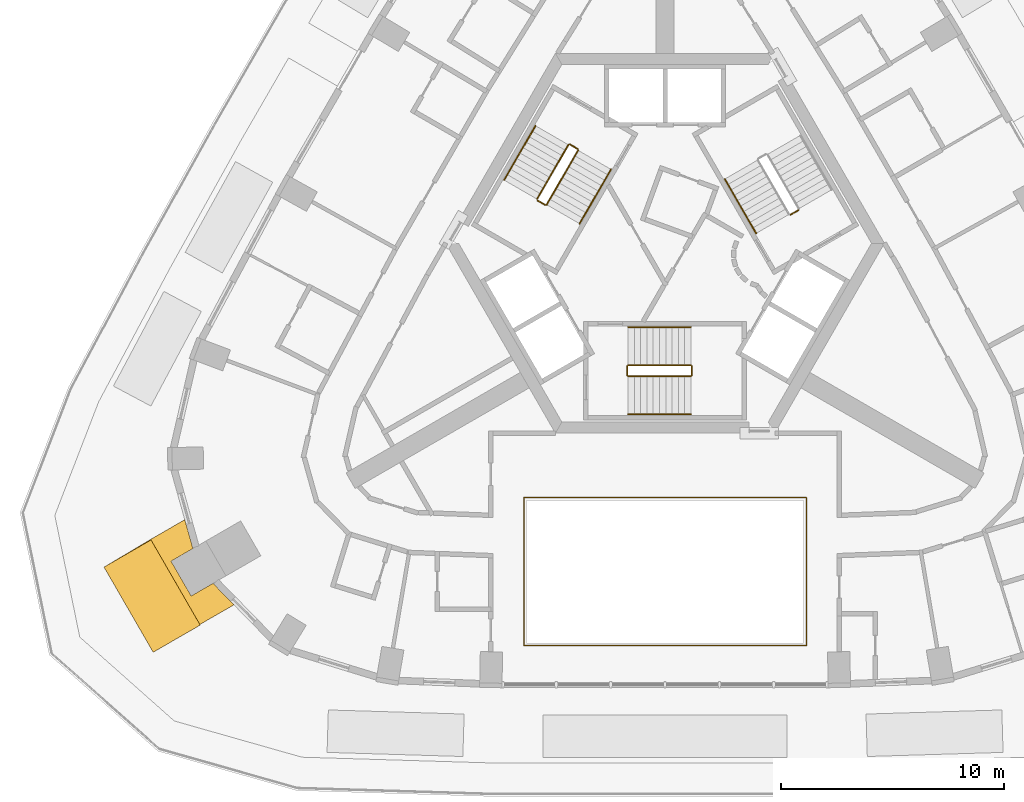
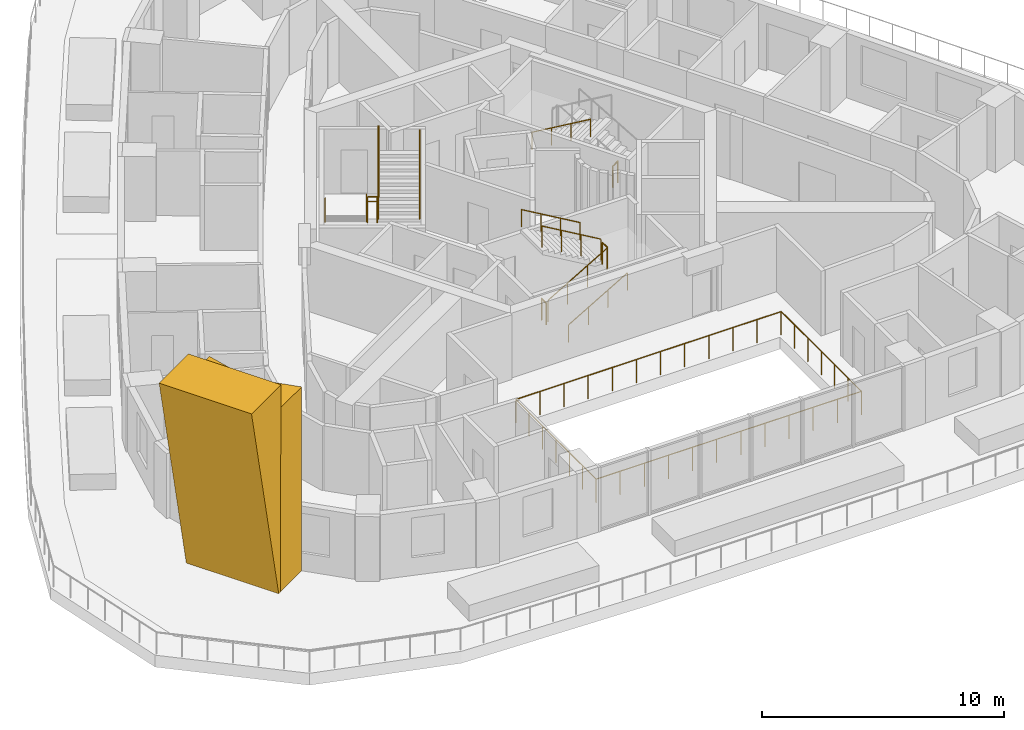
# One storey, part 10 of 12: 15 railings, 2 coverings.
"""IFC4 building model written with IfcOpenShell, lengths in metres."""

from ifc_helpers import new_model, si_unit, direction, frame, origin, origin_2d, place, context, subcontext, project, spatial, polyline, circle, outline, extrude, material, type_object, element, save


model = new_model("IFC4")

# Units and contexts
model_context = context("Model", 3, precision=1e-05, world=origin(), true_north=direction((0.0, 1.0)))
body_context = subcontext(model_context, "Body", "Model", "MODEL_VIEW")
ifc_project = project(units=[si_unit("LENGTHUNIT", "METRE"), si_unit("AREAUNIT", "SQUARE_METRE"), si_unit("VOLUMEUNIT", "CUBIC_METRE"), si_unit("PLANEANGLEUNIT", "RADIAN"), si_unit("MASSUNIT", "GRAM", prefix="KILO")], contexts=[model_context])

# Site, building, storey
site_placement = place(None, origin())
site = spatial("IfcSite", under=ifc_project, at=site_placement, CompositionType="ELEMENT")
building_placement = place(site_placement, origin())
building = spatial("IfcBuilding", under=site, at=building_placement, Name="Entoto Arch Interchange Tower", CompositionType="ELEMENT")
storey_placement = place(building_placement, frame((0.0, 0.0, 286.39990234375)))
storey = spatial("IfcBuildingStorey", under=building, at=storey_placement, Name="L66", CompositionType="ELEMENT", Elevation=286.39990234375)

# Railing
ifc_material_1 = material(Name="Stainless steel 1.4301", Category="steel")
railing_type_1 = type_object("IfcRailingType", Name="ATRIUM GUARD 1200 STEEL AND GLASS", PredefinedType="GUARDRAIL", material=ifc_material_1)
railing_1_placement = place(storey_placement, frame((6.320068359375, -15.5009765625, 0.0)))
element("IfcRailing", 1, at=railing_1_placement, inside=storey, type_object=railing_type_1, Name="Atrium guard L66", PredefinedType="GUARDRAIL", context=body_context, shape_type="SweptSolid", body=[
    extrude(circle(Radius=0.02392578125, at=origin_2d()), frame((0.0, 0.0, 1.17578125), z_axis=(-1.0, 0.0, 0.0), x_axis=(0.0, -1.0, 0.0)), (0.0, 0.0, 1.0), 12.64013671875),
    extrude(circle(Radius=0.02392578125, at=origin_2d()), frame((-12.64013671875, 0.0, 1.17578125), z_axis=(0.0, 1.0, 0.0), x_axis=(-1.0, 0.0, 0.0)), (0.0, 0.0, 1.0), 6.62109375),
    extrude(circle(Radius=0.02392578125, at=origin_2d()), frame((-12.64013671875, 6.62109375, 1.17578125), z_axis=(1.0, 0.0, 0.0), x_axis=(0.0, 1.0, 0.0)), (0.0, 0.0, 1.0), 12.64013671875),
    extrude(circle(Radius=0.02392578125, at=origin_2d()), frame((0.0, 6.62109375, 1.17578125), z_axis=(0.0, -1.0, 0.0), x_axis=(1.0, 0.0, 0.0)), (0.0, 0.0, 1.0), 6.62109375),
    extrude(circle(Radius=0.02099609375, at=origin_2d()), origin(), (0.0, 0.0, 1.0), 1.15185546875),
    extrude(circle(Radius=0.02099609375, at=origin_2d()), frame((-1.149169921875, 0.0, 0.0)), (0.0, 0.0, 1.0), 1.15185546875),
    extrude(circle(Radius=0.02099609375, at=origin_2d()), frame((-2.298095703125, 0.0, 0.0)), (0.0, 0.0, 1.0), 1.15185546875),
    extrude(circle(Radius=0.02099609375, at=origin_2d()), frame((-3.447265625, 0.0, 0.0)), (0.0, 0.0, 1.0), 1.15185546875),
    extrude(circle(Radius=0.02099609375, at=origin_2d()), frame((-4.596435546875, 0.0, 0.0)), (0.0, 0.0, 1.0), 1.15185546875),
    extrude(circle(Radius=0.02099609375, at=origin_2d()), frame((-5.74560546875, 0.0, 0.0)), (0.0, 0.0, 1.0), 1.15185546875),
    extrude(circle(Radius=0.02099609375, at=origin_2d()), frame((-6.89453125, 0.0, 0.0)), (0.0, 0.0, 1.0), 1.15185546875),
    extrude(circle(Radius=0.02099609375, at=origin_2d()), frame((-8.043701171875, 0.0, 0.0)), (0.0, 0.0, 1.0), 1.15185546875),
    extrude(circle(Radius=0.02099609375, at=origin_2d()), frame((-9.19287109375, 0.0, 0.0)), (0.0, 0.0, 1.0), 1.15185546875),
    extrude(circle(Radius=0.02099609375, at=origin_2d()), frame((-10.342041015625, 0.0, 0.0)), (0.0, 0.0, 1.0), 1.15185546875),
    extrude(circle(Radius=0.02099609375, at=origin_2d()), frame((-11.490966796875, 0.0, 0.0)), (0.0, 0.0, 1.0), 1.15185546875),
    extrude(circle(Radius=0.02099609375, at=origin_2d()), frame((-12.64013671875, 0.0, 0.0)), (0.0, 0.0, 1.0), 1.15185546875),
    extrude(circle(Radius=0.02099609375, at=origin_2d()), frame((-12.64013671875, 1.103515625, 0.0)), (0.0, 0.0, 1.0), 1.15185546875),
    extrude(circle(Radius=0.02099609375, at=origin_2d()), frame((-12.64013671875, 2.20703125, 0.0)), (0.0, 0.0, 1.0), 1.15185546875),
    extrude(circle(Radius=0.02099609375, at=origin_2d()), frame((-12.64013671875, 3.310546875, 0.0)), (0.0, 0.0, 1.0), 1.15185546875),
    extrude(circle(Radius=0.02099609375, at=origin_2d()), frame((-12.64013671875, 4.4140625, 0.0)), (0.0, 0.0, 1.0), 1.15185546875),
    extrude(circle(Radius=0.02099609375, at=origin_2d()), frame((-12.64013671875, 5.517578125, 0.0)), (0.0, 0.0, 1.0), 1.15185546875),
    extrude(circle(Radius=0.02099609375, at=origin_2d()), frame((-12.64013671875, 6.62109375, 0.0)), (0.0, 0.0, 1.0), 1.15185546875),
    extrude(circle(Radius=0.02099609375, at=origin_2d()), frame((-11.490966796875, 6.62109375, 0.0)), (0.0, 0.0, 1.0), 1.15185546875),
    extrude(circle(Radius=0.02099609375, at=origin_2d()), frame((-10.342041015625, 6.62109375, 0.0)), (0.0, 0.0, 1.0), 1.15185546875),
    extrude(circle(Radius=0.02099609375, at=origin_2d()), frame((-9.19287109375, 6.62109375, 0.0)), (0.0, 0.0, 1.0), 1.15185546875),
    extrude(circle(Radius=0.02099609375, at=origin_2d()), frame((-8.043701171875, 6.62109375, 0.0)), (0.0, 0.0, 1.0), 1.15185546875),
    extrude(circle(Radius=0.02099609375, at=origin_2d()), frame((-6.89453125, 6.62109375, 0.0)), (0.0, 0.0, 1.0), 1.15185546875),
    extrude(circle(Radius=0.02099609375, at=origin_2d()), frame((-5.74560546875, 6.62109375, 0.0)), (0.0, 0.0, 1.0), 1.15185546875),
    extrude(circle(Radius=0.02099609375, at=origin_2d()), frame((-4.596435546875, 6.62109375, 0.0)), (0.0, 0.0, 1.0), 1.15185546875),
    extrude(circle(Radius=0.02099609375, at=origin_2d()), frame((-3.447265625, 6.62109375, 0.0)), (0.0, 0.0, 1.0), 1.15185546875),
    extrude(circle(Radius=0.02099609375, at=origin_2d()), frame((-2.298095703125, 6.62109375, 0.0)), (0.0, 0.0, 1.0), 1.15185546875),
    extrude(circle(Radius=0.02099609375, at=origin_2d()), frame((-1.149169921875, 6.62109375, 0.0)), (0.0, 0.0, 1.0), 1.15185546875),
    extrude(circle(Radius=0.02099609375, at=origin_2d()), frame((0.0, 6.62109375, 0.0)), (0.0, 0.0, 1.0), 1.15185546875),
    extrude(circle(Radius=0.02099609375, at=origin_2d()), frame((0.0, 5.517578125, 0.0)), (0.0, 0.0, 1.0), 1.15185546875),
    extrude(circle(Radius=0.02099609375, at=origin_2d()), frame((0.0, 4.4140625, 0.0)), (0.0, 0.0, 1.0), 1.15185546875),
    extrude(circle(Radius=0.02099609375, at=origin_2d()), frame((0.0, 3.310546875, 0.0)), (0.0, 0.0, 1.0), 1.15185546875),
    extrude(circle(Radius=0.02099609375, at=origin_2d()), frame((0.0, 2.20703125, 0.0)), (0.0, 0.0, 1.0), 1.15185546875),
    extrude(circle(Radius=0.02099609375, at=origin_2d()), frame((0.0, 1.103515625, 0.0)), (0.0, 0.0, 1.0), 1.15185546875),
])

# Coverings
ifc_material_2 = material(Name="Board-marked precast concrete C50/60", Category="concrete")
covering_type = type_object("IfcCoveringType", Name="PRECAST FRAME COURSE", PredefinedType="CLADDING", material=ifc_material_2)
covering_1_placement = place(storey_placement, origin())
element("IfcCovering", 2, at=covering_1_placement, inside=storey, type_object=covering_type, Name="Corner pilaster SW L66-L68", PredefinedType="CLADDING", context=body_context, shape_type="SweptSolid", body=[
    extrude(outline(polyline([(-20.81689453125, -14.55908203125), (-23.01708984375, -10.7490234375), (-21.491943359375, -9.867919921875), (-21.12890625, -11.159912109375), (-22.10693359375, -11.72509765625), (-21.20703125, -13.282958984375), (-20.22900390625, -12.718994140625), (-19.2919921875, -13.678955078125), (-20.81689453125, -14.55908203125)])), origin(), (0.0, 0.0, 1.0), 9.260009765625),
])
covering_2_placement = place(storey_placement, frame((-23.01708984375, -10.7490234375, 0.0), z_axis=(-0.500124564884, 0.865948479506, 0.002941163219), x_axis=(-0.865952222959, -0.500126731489, 1.351725e-06)))
element("IfcCovering", 3, at=covering_2_placement, inside=storey, type_object=covering_type, Name="Corner rib SW L66-L68", PredefinedType="CLADDING", context=body_context, shape_type="SweptSolid", body=[
    extrude(outline(polyline([(0.0, 0.0), (0.13169773086524983, 0.0), (2.430002396822414, 10.460247036412628), (0.00033760187984994776, 10.460250498685479), (0.0, 0.0)])), origin(), (0.0, 0.0, -1.0), 4.39990234375),
])

# Railings
railing_type_2 = type_object("IfcRailingType", Name="STAIR GUARD 1100 STEEL", PredefinedType="GUARDRAIL", material=ifc_material_1)
railing_2_placement = place(storey_placement, frame((-1.64990234375, -3.449951171875, 0.163818359375)))
element("IfcRailing", 4, at=railing_2_placement, inside=storey, type_object=railing_type_2, Name="L66 ST-S stair guard 1", PredefinedType="GUARDRAIL", context=body_context, shape_type="SweptSolid", body=[
    extrude(circle(Radius=0.02392578125, at=origin_2d()), frame((0.0, 0.0, 1.076171875), z_axis=(0.863374499697, 0.0, 0.504563646405), x_axis=(0.0, 1.0, 0.0)), (0.0, 0.0, 1.0), 3.242919921875),
    extrude(circle(Radius=0.02099609375, at=origin_2d()), origin(), (0.0, 0.0, 1.0), 1.052001953125),
    extrude(circle(Radius=0.02099609375, at=origin_2d()), frame((0.933349609375, 0.0, 0.54541015625)), (0.0, 0.0, 1.0), 1.052001953125),
    extrude(circle(Radius=0.02099609375, at=origin_2d()), frame((1.866455078125, 0.0, 1.0908203125)), (0.0, 0.0, 1.0), 1.052001953125),
    extrude(circle(Radius=0.02099609375, at=origin_2d()), frame((2.7998046875, 0.0, 1.63623046875)), (0.0, 0.0, 1.0), 1.052001953125),
])
railing_3_placement = place(storey_placement, frame((1.199951171875, -3.39990234375, 1.800048828125)))
element("IfcRailing", 5, at=railing_3_placement, inside=storey, type_object=railing_type_2, Name="L66 ST-S stair guard 2", PredefinedType="GUARDRAIL", context=body_context, shape_type="SweptSolid", body=[
    extrude(circle(Radius=0.02392578125, at=origin_2d()), frame((0.0, 0.0, 1.076171875), z_axis=(0.0, 1.0, 0.0), x_axis=(-1.0, 0.0, 0.0)), (0.0, 0.0, 1.0), 0.39990234375),
    extrude(circle(Radius=0.02099609375, at=origin_2d()), origin(), (0.0, 0.0, 1.0), 1.052001953125),
    extrude(circle(Radius=0.02099609375, at=origin_2d()), frame((0.0, 0.39990234375, 0.0)), (0.0, 0.0, 1.0), 1.052001953125),
])
railing_4_placement = place(storey_placement, frame((1.14990234375, -2.949951171875, 1.963623046875)))
element("IfcRailing", 6, at=railing_4_placement, inside=storey, type_object=railing_type_2, Name="L66 ST-S stair guard 3", PredefinedType="GUARDRAIL", context=body_context, shape_type="SweptSolid", body=[
    extrude(circle(Radius=0.02392578125, at=origin_2d()), frame((0.0, 0.0, 1.076171875), z_axis=(-0.863341702679, 0.0, 0.504619762213), x_axis=(0.0, -1.0, 0.0)), (0.0, 0.0, 1.0), 3.242919921875),
    extrude(circle(Radius=0.02099609375, at=origin_2d()), origin(), (0.0, 0.0, 1.0), 1.052001953125),
    extrude(circle(Radius=0.02099609375, at=origin_2d()), frame((-0.933349609375, 0.0, 0.54541015625)), (0.0, 0.0, 1.0), 1.052001953125),
    extrude(circle(Radius=0.02099609375, at=origin_2d()), frame((-1.866455078125, 0.0, 1.091064453125)), (0.0, 0.0, 1.0), 1.052001953125),
    extrude(circle(Radius=0.02099609375, at=origin_2d()), frame((-2.7998046875, 0.0, 1.636474609375)), (0.0, 0.0, 1.0), 1.052001953125),
])
railing_5_placement = place(storey_placement, frame((-1.699951171875, -3.39990234375, 0.0)))
element("IfcRailing", 7, at=railing_5_placement, inside=storey, type_object=railing_type_2, Name="L66 ST-S stair guard 4", PredefinedType="GUARDRAIL", context=body_context, shape_type="SweptSolid", body=[
    extrude(circle(Radius=0.02392578125, at=origin_2d()), frame((0.0, 0.0, 1.076171875), z_axis=(0.0, 1.0, 0.0), x_axis=(-1.0, 0.0, 0.0)), (0.0, 0.0, 1.0), 0.39990234375),
    extrude(circle(Radius=0.02099609375, at=origin_2d()), origin(), (0.0, 0.0, 1.0), 1.052001953125),
    extrude(circle(Radius=0.02099609375, at=origin_2d()), frame((0.0, 0.39990234375, 0.0)), (0.0, 0.0, 1.0), 1.052001953125),
])
railing_6_placement = place(storey_placement, frame((5.95947265625, 3.977783203125, 0.0)))
element("IfcRailing", 8, at=railing_6_placement, inside=storey, type_object=railing_type_2, Name="L66 ST-NE stair guard 4", PredefinedType="GUARDRAIL", context=body_context, shape_type="SweptSolid", body=[
    extrude(circle(Radius=0.02392578125, at=origin_2d()), frame((0.0, 0.0, 1.076171875), z_axis=(-0.866094119867, -0.499880961361, 0.0), x_axis=(0.499880961361, -0.866094119867, 0.0)), (0.0, 0.0, 1.0), 0.39990234375),
    extrude(circle(Radius=0.02099609375, at=origin_2d()), origin(), (0.0, 0.0, 1.0), 1.052001953125),
    extrude(circle(Radius=0.02099609375, at=origin_2d()), frame((-0.346435546875, -0.199951171875, 0.0)), (0.0, 0.0, 1.0), 1.052001953125),
])
railing_7_placement = place(storey_placement, frame((-4.327880859375, 6.904052734375, 0.163818359375)))
element("IfcRailing", 9, at=railing_7_placement, inside=storey, type_object=railing_type_2, Name="L66 ST-NW stair guard 1", PredefinedType="GUARDRAIL", context=body_context, shape_type="SweptSolid", body=[
    extrude(circle(Radius=0.02392578125, at=origin_2d()), frame((0.0, 0.0, 1.076171875), z_axis=(-0.43165272891, -0.747751404999, 0.504523297725), x_axis=(0.866056369097, -0.49994636267, 0.0)), (0.0, 0.0, 1.0), 3.2431640625),
    extrude(circle(Radius=0.02099609375, at=origin_2d()), origin(), (0.0, 0.0, 1.0), 1.052001953125),
    extrude(circle(Radius=0.02099609375, at=origin_2d()), frame((-0.466552734375, -0.808349609375, 0.54541015625)), (0.0, 0.0, 1.0), 1.052001953125),
    extrude(circle(Radius=0.02099609375, at=origin_2d()), frame((-0.933349609375, -1.61669921875, 1.0908203125)), (0.0, 0.0, 1.0), 1.052001953125),
    extrude(circle(Radius=0.02099609375, at=origin_2d()), frame((-1.39990234375, -2.425048828125, 1.63623046875)), (0.0, 0.0, 1.0), 1.052001953125),
])
railing_8_placement = place(storey_placement, frame((-5.70947265625, 4.410888671875, 1.800048828125)))
element("IfcRailing", 10, at=railing_8_placement, inside=storey, type_object=railing_type_2, Name="L66 ST-NW stair guard 2", PredefinedType="GUARDRAIL", context=body_context, shape_type="SweptSolid", body=[
    extrude(circle(Radius=0.02392578125, at=origin_2d()), frame((0.0, 0.0, 1.076171875), z_axis=(0.865829829939, -0.500338590944, 0.0), x_axis=(0.500338590944, 0.865829829939, 0.0)), (0.0, 0.0, 1.0), 0.400146484375),
    extrude(circle(Radius=0.02099609375, at=origin_2d()), origin(), (0.0, 0.0, 1.0), 1.052001953125),
    extrude(circle(Radius=0.02099609375, at=origin_2d()), frame((0.346435546875, -0.2001953125, 0.0)), (0.0, 0.0, 1.0), 1.052001953125),
])
railing_9_placement = place(storey_placement, frame((-5.294921875, 4.22900390625, 1.963623046875)))
element("IfcRailing", 11, at=railing_9_placement, inside=storey, type_object=railing_type_2, Name="L66 ST-NW stair guard 3", PredefinedType="GUARDRAIL", context=body_context, shape_type="SweptSolid", body=[
    extrude(circle(Radius=0.02392578125, at=origin_2d()), frame((0.0, 0.0, 1.076171875), z_axis=(0.431697583215, 0.747698708645, 0.504563016616), x_axis=(-0.866018616679, 0.500011755427, 0.0)), (0.0, 0.0, 1.0), 3.243408203125),
    extrude(circle(Radius=0.02099609375, at=origin_2d()), origin(), (0.0, 0.0, 1.0), 1.052001953125),
    extrude(circle(Radius=0.02099609375, at=origin_2d()), frame((0.466796875, 0.808349609375, 0.54541015625)), (0.0, 0.0, 1.0), 1.052001953125),
    extrude(circle(Radius=0.02099609375, at=origin_2d()), frame((0.933349609375, 1.61669921875, 1.091064453125)), (0.0, 0.0, 1.0), 1.052001953125),
    extrude(circle(Radius=0.02099609375, at=origin_2d()), frame((1.400146484375, 2.425048828125, 1.636474609375)), (0.0, 0.0, 1.0), 1.052001953125),
])
railing_10_placement = place(storey_placement, frame((-4.259521484375, 6.92236328125, 0.0)))
element("IfcRailing", 12, at=railing_10_placement, inside=storey, type_object=railing_type_2, Name="L66 ST-NW stair guard 4", PredefinedType="GUARDRAIL", context=body_context, shape_type="SweptSolid", body=[
    extrude(circle(Radius=0.02392578125, at=origin_2d()), frame((0.0, 0.0, 1.076171875), z_axis=(0.865829829939, -0.500338590944, 0.0), x_axis=(0.500338590944, 0.865829829939, 0.0)), (0.0, 0.0, 1.0), 0.400146484375),
    extrude(circle(Radius=0.02099609375, at=origin_2d()), origin(), (0.0, 0.0, 1.0), 1.052001953125),
    extrude(circle(Radius=0.02099609375, at=origin_2d()), frame((0.346435546875, -0.2001953125, 0.0)), (0.0, 0.0, 1.0), 1.052001953125),
])
railing_type_3 = type_object("IfcRailingType", Name="STAIR HANDRAIL 900 STEEL", PredefinedType="HANDRAIL", material=ifc_material_1)
railing_11_placement = place(storey_placement, frame((-1.64990234375, -5.14990234375, 0.163818359375)))
element("IfcRailing", 13, at=railing_11_placement, inside=storey, type_object=railing_type_3, Name="L66 ST-S stair handrail 1", PredefinedType="HANDRAIL", context=body_context, shape_type="SweptSolid", body=[
    extrude(circle(Radius=0.02392578125, at=origin_2d()), frame((0.0, 0.0, 0.8759765625), z_axis=(0.863374499697, 0.0, 0.504563646405), x_axis=(0.0, 1.0, 0.0)), (0.0, 0.0, 1.0), 3.242919921875),
    extrude(circle(Radius=0.02099609375, at=origin_2d()), origin(), (0.0, 0.0, 1.0), 0.851806640625),
    extrude(circle(Radius=0.02099609375, at=origin_2d()), frame((0.933349609375, 0.0, 0.54541015625)), (0.0, 0.0, 1.0), 0.851806640625),
    extrude(circle(Radius=0.02099609375, at=origin_2d()), frame((1.866455078125, 0.0, 1.0908203125)), (0.0, 0.0, 1.0), 0.851806640625),
    extrude(circle(Radius=0.02099609375, at=origin_2d()), frame((2.7998046875, 0.0, 1.63623046875)), (0.0, 0.0, 1.0), 0.851806640625),
])
railing_12_placement = place(storey_placement, frame((1.14990234375, -1.25, 1.963623046875)))
element("IfcRailing", 14, at=railing_12_placement, inside=storey, type_object=railing_type_3, Name="L66 ST-S stair handrail 2", PredefinedType="HANDRAIL", context=body_context, shape_type="SweptSolid", body=[
    extrude(circle(Radius=0.02392578125, at=origin_2d()), frame((0.0, 0.0, 0.8759765625), z_axis=(-0.863341702679, 0.0, 0.504619762213), x_axis=(0.0, -1.0, 0.0)), (0.0, 0.0, 1.0), 3.242919921875),
    extrude(circle(Radius=0.02099609375, at=origin_2d()), origin(), (0.0, 0.0, 1.0), 0.851806640625),
    extrude(circle(Radius=0.02099609375, at=origin_2d()), frame((-0.933349609375, 0.0, 0.54541015625)), (0.0, 0.0, 1.0), 0.851806640625),
    extrude(circle(Radius=0.02099609375, at=origin_2d()), frame((-1.866455078125, 0.0, 1.091064453125)), (0.0, 0.0, 1.0), 0.851806640625),
    extrude(circle(Radius=0.02099609375, at=origin_2d()), frame((-2.7998046875, 0.0, 1.636474609375)), (0.0, 0.0, 1.0), 0.851806640625),
])
railing_13_placement = place(storey_placement, frame((2.672607421875, 5.370849609375, 1.963623046875)))
element("IfcRailing", 15, at=railing_13_placement, inside=storey, type_object=railing_type_3, Name="L66 ST-NE stair handrail 2", PredefinedType="HANDRAIL", context=body_context, shape_type="SweptSolid", body=[
    extrude(circle(Radius=0.02392578125, at=origin_2d()), frame((0.0, 0.0, 0.8759765625), z_axis=(0.431660630283, -0.747689811644, 0.504607813879), x_axis=(0.866034573852, 0.49998411664, 0.0)), (0.0, 0.0, 1.0), 3.2431640625),
    extrude(circle(Radius=0.02099609375, at=origin_2d()), origin(), (0.0, 0.0, 1.0), 0.851806640625),
    extrude(circle(Radius=0.02099609375, at=origin_2d()), frame((0.466552734375, -0.808349609375, 0.54541015625)), (0.0, 0.0, 1.0), 0.851806640625),
    extrude(circle(Radius=0.02099609375, at=origin_2d()), frame((0.933349609375, -1.616455078125, 1.091064453125)), (0.0, 0.0, 1.0), 0.851806640625),
    extrude(circle(Radius=0.02099609375, at=origin_2d()), frame((1.39990234375, -2.4248046875, 1.636474609375)), (0.0, 0.0, 1.0), 0.851806640625),
])
railing_14_placement = place(storey_placement, frame((-5.800048828125, 7.75390625, 0.163818359375)))
element("IfcRailing", 16, at=railing_14_placement, inside=storey, type_object=railing_type_3, Name="L66 ST-NW stair handrail 1", PredefinedType="HANDRAIL", context=body_context, shape_type="SweptSolid", body=[
    extrude(circle(Radius=0.02392578125, at=origin_2d()), frame((0.0, 0.0, 0.8759765625), z_axis=(-0.431738279637, -0.747693913401, 0.504535300807), x_axis=(0.865996816683, -0.500049511043, 0.0)), (0.0, 0.0, 1.0), 3.2431640625),
    extrude(circle(Radius=0.02099609375, at=origin_2d()), origin(), (0.0, 0.0, 1.0), 0.851806640625),
    extrude(circle(Radius=0.02099609375, at=origin_2d()), frame((-0.466796875, -0.808349609375, 0.54541015625)), (0.0, 0.0, 1.0), 0.851806640625),
    extrude(circle(Radius=0.02099609375, at=origin_2d()), frame((-0.933349609375, -1.616455078125, 1.0908203125)), (0.0, 0.0, 1.0), 0.851806640625),
    extrude(circle(Radius=0.02099609375, at=origin_2d()), frame((-1.400146484375, -2.4248046875, 1.63623046875)), (0.0, 0.0, 1.0), 0.851806640625),
])
railing_15_placement = place(storey_placement, frame((-3.822509765625, 3.379150390625, 1.963623046875)))
element("IfcRailing", 17, at=railing_15_placement, inside=storey, type_object=railing_type_3, Name="L66 ST-NW stair handrail 2", PredefinedType="HANDRAIL", context=body_context, shape_type="SweptSolid", body=[
    extrude(circle(Radius=0.02392578125, at=origin_2d()), frame((0.0, 0.0, 0.8759765625), z_axis=(0.431660630283, 0.747689811644, 0.504607813879), x_axis=(-0.866034573852, 0.49998411664, 0.0)), (0.0, 0.0, 1.0), 3.2431640625),
    extrude(circle(Radius=0.02099609375, at=origin_2d()), origin(), (0.0, 0.0, 1.0), 0.851806640625),
    extrude(circle(Radius=0.02099609375, at=origin_2d()), frame((0.466552734375, 0.808349609375, 0.54541015625)), (0.0, 0.0, 1.0), 0.851806640625),
    extrude(circle(Radius=0.02099609375, at=origin_2d()), frame((0.933349609375, 1.616455078125, 1.091064453125)), (0.0, 0.0, 1.0), 0.851806640625),
    extrude(circle(Radius=0.02099609375, at=origin_2d()), frame((1.39990234375, 2.4248046875, 1.636474609375)), (0.0, 0.0, 1.0), 0.851806640625),
])

save(model, "model.ifc")
